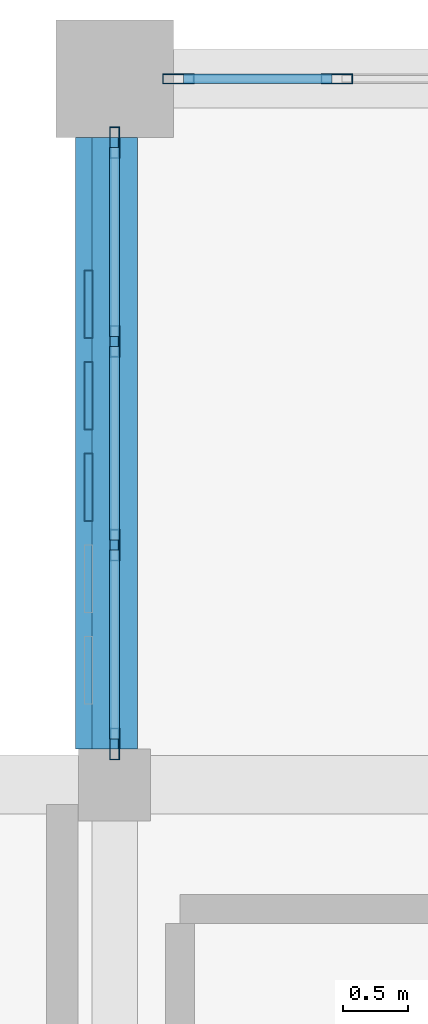
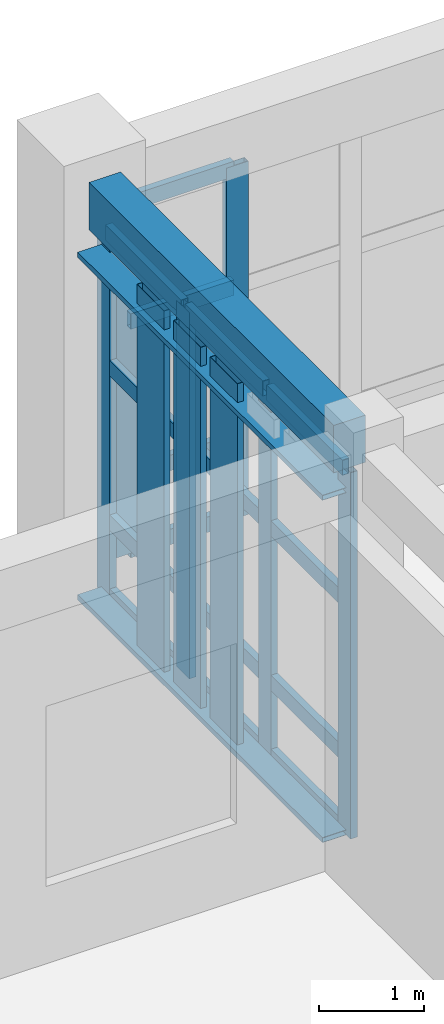
# One storey, part 53 of 106: 27 members, 1 beam, 2 elements without a shape of their own.
"""IFC4 building model written with IfcOpenShell, lengths in metres."""

from ifc_helpers import new_model, si_unit, direction, frame, origin, origin_2d, place, context, subcontext, project, spatial, rectangle, hollow_rectangle, extrude, material, layer, layer_set, material_profile, profile_set, type_object, element, aggregate, save


model = new_model("IFC4")

# Units and contexts
model_context = context("Model", 3, precision=1e-05, world=origin(), true_north=direction((0.0, 1.0)))
body_context = subcontext(model_context, "Body", "Model", "MODEL_VIEW")
ifc_project = project(units=[si_unit("LENGTHUNIT", "METRE"), si_unit("AREAUNIT", "SQUARE_METRE"), si_unit("VOLUMEUNIT", "CUBIC_METRE"), si_unit("PLANEANGLEUNIT", "RADIAN"), si_unit("MASSUNIT", "GRAM", prefix="KILO")], contexts=[model_context])

# Site, building, storey
site_placement = place(None, origin())
site = spatial("IfcSite", under=ifc_project, at=site_placement, CompositionType="ELEMENT")
building_placement = place(site_placement, origin())
building = spatial("IfcBuilding", under=site, at=building_placement, Name="Krzemoval Escarpment Law Courts", CompositionType="ELEMENT")
storey_placement = place(building_placement, frame((0.0, 0.0, 5.10009765625)))
storey = spatial("IfcBuildingStorey", under=building, at=storey_placement, Name="L01", CompositionType="ELEMENT", Elevation=5.10009765625)

# Beam
ifc_material_1 = material(Name="Concrete C40/50", Category="concrete")
ifc_material_profile_1 = material_profile(ifc_material_1, rectangle(XDim=0.35009765625, YDim=0.550048828125, at=origin_2d()), Name="RCB 350x550")
ifc_profile_set_1 = profile_set([ifc_material_profile_1], Name="Concrete C40/50")
beam_type = type_object("IfcBeamType", Name="BM-RC-350x550", PredefinedType="BEAM", material=ifc_profile_set_1)
beam_placement = place(storey_placement, frame((126.0, 113.675048828125, 4.544921875), z_axis=(0.0, 1.0, 0.0), x_axis=(-1.0, 0.0, 0.0)))
element("IfcBeam", 1, at=beam_placement, inside=storey, type_object=beam_type, Name="Beam FG-L01-1519", PredefinedType="BEAM", context=body_context, shape_type="SweptSolid", body=[
    extrude(rectangle(XDim=0.35009765625, YDim=0.550048828125, at=origin_2d()), origin(), (0.0, 0.0, 1.0), 4.675048828125),
])

# Curtain wall, members
ifc_material_2 = material(Name="Aluminium 6063-T6", Category="aluminium")
ifc_layer = layer(ifc_material_2, 0.239990234375)
ifc_layer_set = layer_set([ifc_layer], Name="Aluminium 6063-T6")
curtain_wall_type = type_object("IfcCurtainWallType", Name="CW-CHMB-4800", PredefinedType="USERDEFINED", material=ifc_layer_set)
curtain_wall_1_placement = place(storey_placement, origin())
curtain_wall_1 = element("IfcCurtainWall", 2, at=curtain_wall_1_placement, inside=storey, type_object=curtain_wall_type, Name="Unitised Curtain Wall FCW-L01-031", ObjectType="UNITISED_CURTAIN_WALL", PredefinedType="USERDEFINED")
ifc_material_3 = material(Name="Aluminium 6063-T6", Category="aluminium")
ifc_material_profile_2 = material_profile(ifc_material_3, hollow_rectangle(XDim=0.074951171875, YDim=0.239990234375, WallThickness=0.0048828125, at=origin_2d()), Name="ALU M75x240")
ifc_profile_set_2 = profile_set([ifc_material_profile_2], Name="Aluminium 6063-T6")
member_type_1 = type_object("IfcMemberType", Name="CWM-75x240", PredefinedType="MULLION", material=ifc_profile_set_2)
member_1_placement = place(storey_placement, frame((126.0, 113.71240234375, 0.0), z_axis=(0.0, 0.0, 1.0), x_axis=(-1.0, 0.0, 0.0)))
member_1 = element("IfcMember", 3, at=member_1_placement, type_object=member_type_1, Name="FCW-L01-031 mullion 1", PredefinedType="MULLION", context=body_context, shape_type="SweptSolid", body=[
    extrude(hollow_rectangle(XDim=0.074951171875, YDim=0.239990234375, WallThickness=0.0048828125, at=origin_2d()), origin(), (0.0, 0.0, 1.0), 4.27001953125),
])
member_2_placement = place(storey_placement, frame((126.0, 115.2333984375, 0.0), z_axis=(0.0, 0.0, 1.0), x_axis=(-1.0, 0.0, 0.0)))
member_2 = element("IfcMember", 4, at=member_2_placement, type_object=member_type_1, Name="FCW-L01-031 mullion 2", PredefinedType="MULLION", context=body_context, shape_type="SweptSolid", body=[
    extrude(hollow_rectangle(XDim=0.074951171875, YDim=0.239990234375, WallThickness=0.0048828125, at=origin_2d()), origin(), (0.0, 0.0, 1.0), 4.27001953125),
])
member_3_placement = place(storey_placement, frame((126.0, 116.791748046875, 0.0), z_axis=(0.0, 0.0, 1.0), x_axis=(-1.0, 0.0, 0.0)))
member_3 = element("IfcMember", 5, at=member_3_placement, type_object=member_type_1, Name="FCW-L01-031 mullion 3", PredefinedType="MULLION", context=body_context, shape_type="SweptSolid", body=[
    extrude(hollow_rectangle(XDim=0.074951171875, YDim=0.239990234375, WallThickness=0.0048828125, at=origin_2d()), origin(), (0.0, 0.0, 1.0), 4.27001953125),
])
member_4_placement = place(storey_placement, frame((126.0, 118.3125, 0.0), z_axis=(0.0, 0.0, 1.0), x_axis=(-1.0, 0.0, 0.0)))
member_4 = element("IfcMember", 6, at=member_4_placement, type_object=member_type_1, Name="FCW-L01-031 mullion 4", PredefinedType="MULLION", context=body_context, shape_type="SweptSolid", body=[
    extrude(hollow_rectangle(XDim=0.074951171875, YDim=0.239990234375, WallThickness=0.0048828125, at=origin_2d()), origin(), (0.0, 0.0, 1.0), 4.27001953125),
])

curtain_wall_2_placement = place(storey_placement, origin())
curtain_wall_2 = element("IfcCurtainWall", 7, at=curtain_wall_2_placement, inside=storey, type_object=curtain_wall_type, Name="Unitised Curtain Wall FCW-L01-032", ObjectType="UNITISED_CURTAIN_WALL", PredefinedType="USERDEFINED")
member_5_placement = place(storey_placement, frame((126.487548828125, 118.800048828125, 0.0), z_axis=(0.0, 0.0, 1.0), x_axis=(0.0, 1.0, 0.0)))
member_5 = element("IfcMember", 8, at=member_5_placement, type_object=member_type_1, Name="FCW-L01-032 mullion 1", PredefinedType="MULLION", context=body_context, shape_type="SweptSolid", body=[
    extrude(hollow_rectangle(XDim=0.074951171875, YDim=0.239990234375, WallThickness=0.0048828125, at=origin_2d()), origin(), (0.0, 0.0, 1.0), 4.119873046875),
])
member_6_placement = place(storey_placement, frame((127.699951171875, 118.800048828125, 0.0), z_axis=(0.0, 0.0, 1.0), x_axis=(0.0, 1.0, 0.0)))
member_6 = element("IfcMember", 9, at=member_6_placement, type_object=member_type_1, Name="FCW-L01-032 mullion 2", PredefinedType="MULLION", context=body_context, shape_type="SweptSolid", body=[
    extrude(hollow_rectangle(XDim=0.074951171875, YDim=0.239990234375, WallThickness=0.0048828125, at=origin_2d()), origin(), (0.0, 0.0, 1.0), 4.119873046875),
])

# Member
ifc_material_4 = material(Name="Aluminium 6063-T6", Category="aluminium")
ifc_material_profile_3 = material_profile(ifc_material_4, hollow_rectangle(XDim=0.074951171875, YDim=0.179931640625, WallThickness=0.0048828125, at=origin_2d()), Name="ALU T75x180")
ifc_profile_set_3 = profile_set([ifc_material_profile_3], Name="Aluminium 6063-T6")
member_type_2 = type_object("IfcMemberType", Name="CWT-75x180", PredefinedType="USERDEFINED", material=ifc_profile_set_3)
member_7_placement = place(storey_placement, frame((126.0, 113.75, 0.037353515625), z_axis=(0.0, 1.0, 0.0), x_axis=(-1.0, 0.0, 0.0)))
member_7 = element("IfcMember", 10, at=member_7_placement, type_object=member_type_2, Name="FCW-L01-031 transom 1.1", ObjectType="TRANSOM", PredefinedType="USERDEFINED", context=body_context, shape_type="SweptSolid", body=[
    extrude(hollow_rectangle(XDim=0.074951171875, YDim=0.179931640625, WallThickness=0.0048828125, at=origin_2d()), origin(), (0.0, 0.0, 1.0), 1.44580078125),
])

member_8_placement = place(storey_placement, frame((126.0, 113.75, 0.89990234375), z_axis=(0.0, 1.0, 0.0), x_axis=(-1.0, 0.0, 0.0)))
member_8 = element("IfcMember", 11, at=member_8_placement, type_object=member_type_2, Name="FCW-L01-031 transom 1.2", ObjectType="TRANSOM", PredefinedType="USERDEFINED", context=body_context, shape_type="SweptSolid", body=[
    extrude(hollow_rectangle(XDim=0.074951171875, YDim=0.179931640625, WallThickness=0.0048828125, at=origin_2d()), origin(), (0.0, 0.0, 1.0), 1.44580078125),
])

member_9_placement = place(storey_placement, frame((126.0, 113.75, 2.699951171875), z_axis=(0.0, 1.0, 0.0), x_axis=(-1.0, 0.0, 0.0)))
member_9 = element("IfcMember", 12, at=member_9_placement, type_object=member_type_2, Name="FCW-L01-031 transom 1.3", ObjectType="TRANSOM", PredefinedType="USERDEFINED", context=body_context, shape_type="SweptSolid", body=[
    extrude(hollow_rectangle(XDim=0.074951171875, YDim=0.179931640625, WallThickness=0.0048828125, at=origin_2d()), origin(), (0.0, 0.0, 1.0), 1.44580078125),
])

member_10_placement = place(storey_placement, frame((126.0, 113.75, 4.232421875), z_axis=(0.0, 1.0, 0.0), x_axis=(-1.0, 0.0, 0.0)))
member_10 = element("IfcMember", 13, at=member_10_placement, type_object=member_type_2, Name="FCW-L01-031 transom 1.4", ObjectType="TRANSOM", PredefinedType="USERDEFINED", context=body_context, shape_type="SweptSolid", body=[
    extrude(hollow_rectangle(XDim=0.074951171875, YDim=0.179931640625, WallThickness=0.0048828125, at=origin_2d()), origin(), (0.0, 0.0, 1.0), 1.44580078125),
])

member_11_placement = place(storey_placement, frame((126.0, 115.270751953125, 0.037353515625), z_axis=(0.0, 1.0, 0.0), x_axis=(-1.0, 0.0, 0.0)))
member_11 = element("IfcMember", 14, at=member_11_placement, type_object=member_type_2, Name="FCW-L01-031 transom 2.1", ObjectType="TRANSOM", PredefinedType="USERDEFINED", context=body_context, shape_type="SweptSolid", body=[
    extrude(hollow_rectangle(XDim=0.074951171875, YDim=0.179931640625, WallThickness=0.0048828125, at=origin_2d()), origin(), (0.0, 0.0, 1.0), 1.4833984375),
])

member_12_placement = place(storey_placement, frame((126.0, 115.270751953125, 0.89990234375), z_axis=(0.0, 1.0, 0.0), x_axis=(-1.0, 0.0, 0.0)))
member_12 = element("IfcMember", 15, at=member_12_placement, type_object=member_type_2, Name="FCW-L01-031 transom 2.2", ObjectType="TRANSOM", PredefinedType="USERDEFINED", context=body_context, shape_type="SweptSolid", body=[
    extrude(hollow_rectangle(XDim=0.074951171875, YDim=0.179931640625, WallThickness=0.0048828125, at=origin_2d()), origin(), (0.0, 0.0, 1.0), 1.4833984375),
])

member_13_placement = place(storey_placement, frame((126.0, 115.270751953125, 2.699951171875), z_axis=(0.0, 1.0, 0.0), x_axis=(-1.0, 0.0, 0.0)))
member_13 = element("IfcMember", 16, at=member_13_placement, type_object=member_type_2, Name="FCW-L01-031 transom 2.3", ObjectType="TRANSOM", PredefinedType="USERDEFINED", context=body_context, shape_type="SweptSolid", body=[
    extrude(hollow_rectangle(XDim=0.074951171875, YDim=0.179931640625, WallThickness=0.0048828125, at=origin_2d()), origin(), (0.0, 0.0, 1.0), 1.4833984375),
])

member_14_placement = place(storey_placement, frame((126.0, 115.270751953125, 4.232421875), z_axis=(0.0, 1.0, 0.0), x_axis=(-1.0, 0.0, 0.0)))
member_14 = element("IfcMember", 17, at=member_14_placement, type_object=member_type_2, Name="FCW-L01-031 transom 2.4", ObjectType="TRANSOM", PredefinedType="USERDEFINED", context=body_context, shape_type="SweptSolid", body=[
    extrude(hollow_rectangle(XDim=0.074951171875, YDim=0.179931640625, WallThickness=0.0048828125, at=origin_2d()), origin(), (0.0, 0.0, 1.0), 1.4833984375),
])

member_15_placement = place(storey_placement, frame((126.0, 116.8291015625, 0.037353515625), z_axis=(0.0, 1.0, 0.0), x_axis=(-1.0, 0.0, 0.0)))
member_15 = element("IfcMember", 18, at=member_15_placement, type_object=member_type_2, Name="FCW-L01-031 transom 3.1", ObjectType="TRANSOM", PredefinedType="USERDEFINED", context=body_context, shape_type="SweptSolid", body=[
    extrude(hollow_rectangle(XDim=0.074951171875, YDim=0.179931640625, WallThickness=0.0048828125, at=origin_2d()), origin(), (0.0, 0.0, 1.0), 1.44580078125),
])

member_16_placement = place(storey_placement, frame((126.0, 116.8291015625, 0.89990234375), z_axis=(0.0, 1.0, 0.0), x_axis=(-1.0, 0.0, 0.0)))
member_16 = element("IfcMember", 19, at=member_16_placement, type_object=member_type_2, Name="FCW-L01-031 transom 3.2", ObjectType="TRANSOM", PredefinedType="USERDEFINED", context=body_context, shape_type="SweptSolid", body=[
    extrude(hollow_rectangle(XDim=0.074951171875, YDim=0.179931640625, WallThickness=0.0048828125, at=origin_2d()), origin(), (0.0, 0.0, 1.0), 1.44580078125),
])

member_17_placement = place(storey_placement, frame((126.0, 116.8291015625, 2.699951171875), z_axis=(0.0, 1.0, 0.0), x_axis=(-1.0, 0.0, 0.0)))
member_17 = element("IfcMember", 20, at=member_17_placement, type_object=member_type_2, Name="FCW-L01-031 transom 3.3", ObjectType="TRANSOM", PredefinedType="USERDEFINED", context=body_context, shape_type="SweptSolid", body=[
    extrude(hollow_rectangle(XDim=0.074951171875, YDim=0.179931640625, WallThickness=0.0048828125, at=origin_2d()), origin(), (0.0, 0.0, 1.0), 1.44580078125),
])

member_18_placement = place(storey_placement, frame((126.0, 116.8291015625, 4.232421875), z_axis=(0.0, 1.0, 0.0), x_axis=(-1.0, 0.0, 0.0)))
member_18 = element("IfcMember", 21, at=member_18_placement, type_object=member_type_2, Name="FCW-L01-031 transom 3.4", ObjectType="TRANSOM", PredefinedType="USERDEFINED", context=body_context, shape_type="SweptSolid", body=[
    extrude(hollow_rectangle(XDim=0.074951171875, YDim=0.179931640625, WallThickness=0.0048828125, at=origin_2d()), origin(), (0.0, 0.0, 1.0), 1.44580078125),
])

aggregate(curtain_wall_1, [member_1, member_2, member_3, member_4, member_7, member_8, member_9, member_10, member_11, member_12, member_13, member_14, member_15, member_16, member_17, member_18])

member_19_placement = place(storey_placement, frame((126.52490234375, 118.800048828125, 0.037353515625), z_axis=(1.0, 0.0, 0.0), x_axis=(0.0, 1.0, 0.0)))
member_19 = element("IfcMember", 22, at=member_19_placement, type_object=member_type_2, Name="FCW-L01-032 transom 1.1", ObjectType="TRANSOM", PredefinedType="USERDEFINED", context=body_context, shape_type="SweptSolid", body=[
    extrude(hollow_rectangle(XDim=0.074951171875, YDim=0.179931640625, WallThickness=0.0048828125, at=origin_2d()), origin(), (0.0, 0.0, 1.0), 1.1376953125),
])

member_20_placement = place(storey_placement, frame((126.52490234375, 118.800048828125, 0.89990234375), z_axis=(1.0, 0.0, 0.0), x_axis=(0.0, 1.0, 0.0)))
member_20 = element("IfcMember", 23, at=member_20_placement, type_object=member_type_2, Name="FCW-L01-032 transom 1.2", ObjectType="TRANSOM", PredefinedType="USERDEFINED", context=body_context, shape_type="SweptSolid", body=[
    extrude(hollow_rectangle(XDim=0.074951171875, YDim=0.179931640625, WallThickness=0.0048828125, at=origin_2d()), origin(), (0.0, 0.0, 1.0), 1.1376953125),
])

member_21_placement = place(storey_placement, frame((126.52490234375, 118.800048828125, 2.699951171875), z_axis=(1.0, 0.0, 0.0), x_axis=(0.0, 1.0, 0.0)))
member_21 = element("IfcMember", 24, at=member_21_placement, type_object=member_type_2, Name="FCW-L01-032 transom 1.3", ObjectType="TRANSOM", PredefinedType="USERDEFINED", context=body_context, shape_type="SweptSolid", body=[
    extrude(hollow_rectangle(XDim=0.074951171875, YDim=0.179931640625, WallThickness=0.0048828125, at=origin_2d()), origin(), (0.0, 0.0, 1.0), 1.1376953125),
])

member_22_placement = place(storey_placement, frame((126.52490234375, 118.800048828125, 4.08251953125), z_axis=(1.0, 0.0, 0.0), x_axis=(0.0, 1.0, 0.0)))
member_22 = element("IfcMember", 25, at=member_22_placement, type_object=member_type_2, Name="FCW-L01-032 transom 1.4", ObjectType="TRANSOM", PredefinedType="USERDEFINED", context=body_context, shape_type="SweptSolid", body=[
    extrude(hollow_rectangle(XDim=0.074951171875, YDim=0.179931640625, WallThickness=0.0048828125, at=origin_2d()), origin(), (0.0, 0.0, 1.0), 1.1376953125),
])

aggregate(curtain_wall_2, [member_5, member_6, member_19, member_20, member_21, member_22])

# Members
ifc_material_5 = material(Name="Anodised Aluminium Alloy 6063-T6", Category="aluminium")
ifc_material_profile_4 = material_profile(ifc_material_5, hollow_rectangle(XDim=0.06005859375, YDim=0.320068359375, WallThickness=0.00390625, at=origin_2d()), Name="ALU LVR 60x320")
ifc_profile_set_4 = profile_set([ifc_material_profile_4], Name="Anodised Aluminium Alloy 6063-T6")
member_type_3 = type_object("IfcMemberType", Name="LVR-ALU-320", PredefinedType="USERDEFINED", material=ifc_profile_set_4)
for number, where, z_axis, x_axis, name in (
    (26, (125.860107421875, 113.675048828125, 0.02978515625), (0.0, 1.0, 0.0), (0.0, 0.0, 1.0), "Sunshade Support Rail FSR-L01-0087"),
    (27, (125.860107421875, 113.675048828125, 4.02001953125), (0.0, 1.0, 0.0), (0.0, 0.0, 1.0), "Sunshade Support Rail FSR-L01-0088"),
):
    element("IfcMember", number, at=place(storey_placement, frame(where, z_axis=z_axis, x_axis=x_axis)), inside=storey, type_object=member_type_3, Name=name, ObjectType="SUNSHADE_LOUVRE", PredefinedType="USERDEFINED", context=body_context, shape_type="SweptSolid", body=[
        extrude(hollow_rectangle(XDim=0.06005859375, YDim=0.320068359375, WallThickness=0.00390625, at=origin_2d()), origin(), (0.0, 0.0, 1.0), 4.675048828125),
    ])
ifc_material_6 = material(Name="Anodised Aluminium Alloy 6063-T6", Category="aluminium")
ifc_material_profile_5 = material_profile(ifc_material_6, hollow_rectangle(XDim=0.06494140625, YDim=0.52001953125, WallThickness=0.00439453125, at=origin_2d()), Name="ALU LVR 65x520")
ifc_profile_set_5 = profile_set([ifc_material_profile_5], Name="Anodised Aluminium Alloy 6063-T6")
member_type_4 = type_object("IfcMemberType", Name="LVR-ALU-520", PredefinedType="USERDEFINED", material=ifc_profile_set_5)
for number, where, z_axis, x_axis, name in (
    (28, (125.800048828125, 115.675048828125, 0.059814453125), (0.0, 0.0, 1.0), (1.0, 0.0, 0.0), "Sunshade Louvre Fin FLV-L01-0091"),
    (29, (125.800048828125, 116.375, 0.059814453125), (0.0, 0.0, 1.0), (1.0, 0.0, 0.0), "Sunshade Louvre Fin FLV-L01-0092"),
    (30, (125.800048828125, 117.074951171875, 0.059814453125), (0.0, 0.0, 1.0), (1.0, 0.0, 0.0), "Sunshade Louvre Fin FLV-L01-0093"),
):
    element("IfcMember", number, at=place(storey_placement, frame(where, z_axis=z_axis, x_axis=x_axis)), inside=storey, type_object=member_type_4, Name=name, ObjectType="SUNSHADE_LOUVRE", PredefinedType="USERDEFINED", context=body_context, shape_type="SweptSolid", body=[
        extrude(hollow_rectangle(XDim=0.06494140625, YDim=0.52001953125, WallThickness=0.00439453125, at=origin_2d()), origin(), (0.0, 0.0, 1.0), 4.210205078125),
    ])

save(model, "model.ifc")
